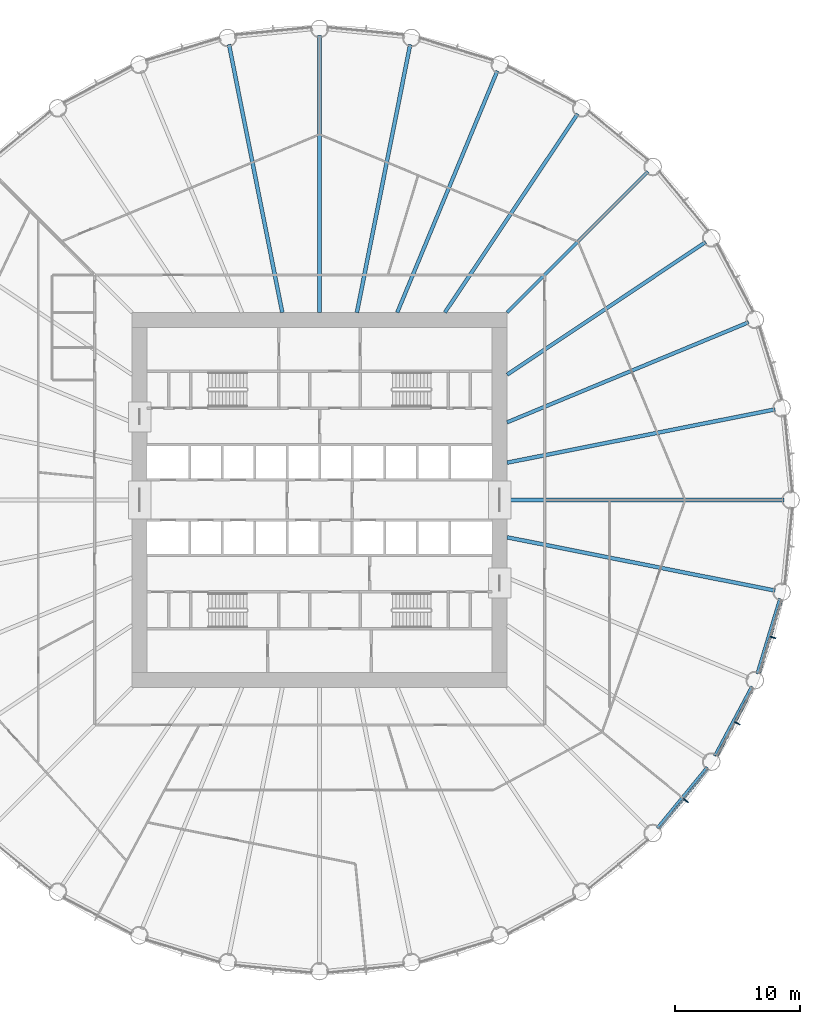
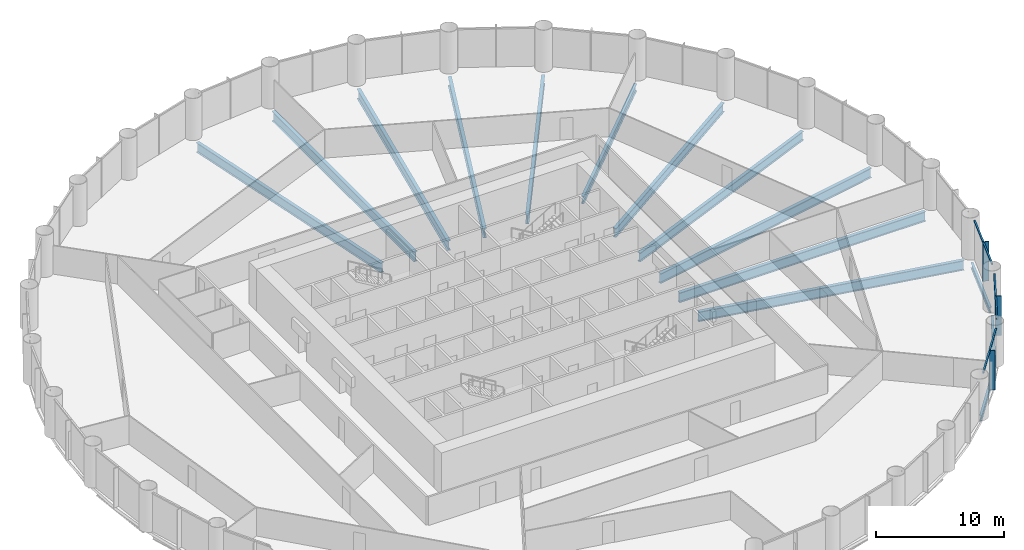
# One storey, part 5 of 15: 14 beams, 9 members, 3 elements without a shape of their own.
"""IFC4 building model written with IfcOpenShell, lengths in metres."""

import ifcopenshell
import ifcopenshell.guid

model = None  # the IFC model being written
_history = None  # IfcOwnerHistory: only IFC2X3 demands one
_inside = {}  # id of a spatial element -> (the spatial element, [elements in it])
_under = {}  # id of a project, library or spatial element -> (it, [spatial elements below it])
_declared = {}  # id of a project -> (the project, [libraries it declares])
_typed = {}  # id of a type object -> (the type object, [elements of that type])
_made_of = {}  # id of a material, layer set ... -> (it, [elements and type objects made of it])


def new_model(schema):
    """Start an empty IFC model of exactly this schema.

    Asked for "IFC4X3", IfcOpenShell would pick the latest addendum, in which some entities
    have other attributes; the version numbers below select the first issue.
    IFC2X3 requires an IfcOwnerHistory on every rooted entity: one is made here for all.
    """
    global model, _history
    if schema == "IFC4X3":
        model = ifcopenshell.file(schema_version=(4, 3, 0, 0))
    else:
        model = ifcopenshell.file(schema=schema)
    _inside.clear()
    _under.clear()
    _declared.clear()
    _typed.clear()
    _made_of.clear()
    _history = None
    if model.schema == "IFC2X3":
        org = make("IfcOrganization", Name="unknown")
        user = make(
            "IfcPersonAndOrganization",
            ThePerson=make("IfcPerson", FamilyName="unknown"),
            TheOrganization=org,
        )
        app = make(
            "IfcApplication",
            ApplicationDeveloper=org,
            Version="unknown",
            ApplicationFullName="unknown",
            ApplicationIdentifier="unknown",
        )
        _history = make(
            "IfcOwnerHistory",
            OwningUser=user,
            OwningApplication=app,
            ChangeAction="ADDED",
            CreationDate=0,
        )
    return model


def make(cls, **values):
    """One entity of the class cls with the attributes given. An attribute that is None is left unset."""
    return model.create_entity(
        cls, **{name: value for name, value in values.items() if value is not None}
    )


def rooted(cls, **values):
    """An entity with a GlobalId (a new one), such as an element, a storey or a relation."""
    return make(cls, GlobalId=ifcopenshell.guid.new(), OwnerHistory=_history, **values)


def si_unit(unit_type, name, prefix=None):
    """IfcSIUnit, for example si_unit("LENGTHUNIT", "METRE", prefix="MILLI")."""
    return make("IfcSIUnit", UnitType=unit_type, Prefix=prefix, Name=name)


def assignment(units):
    """IfcUnitAssignment: the units of a project."""
    return None if units is None else make("IfcUnitAssignment", Units=units)


def point(xyz):
    """IfcCartesianPoint."""
    return None if xyz is None else make("IfcCartesianPoint", Coordinates=xyz)


def direction(xyz):
    """IfcDirection."""
    return None if xyz is None else make("IfcDirection", DirectionRatios=xyz)


def frame(location, z_axis=None, x_axis=None):
    """IfcAxis2Placement3D, a coordinate frame: its origin and axes. An axis left out is left unset."""
    return make(
        "IfcAxis2Placement3D",
        Location=point(location),
        Axis=direction(z_axis),
        RefDirection=direction(x_axis),
    )


def frame_2d(location, x_axis=None):
    """IfcAxis2Placement2D, a coordinate frame in the plane: its origin and x axis."""
    return make(
        "IfcAxis2Placement2D", Location=point(location), RefDirection=direction(x_axis)
    )


def origin():
    """The frame at (0, 0, 0) with its axes left unset."""
    return frame((0.0, 0.0, 0.0))


def origin_2d():
    """The frame at (0, 0) in the plane with its x axis left unset."""
    return frame_2d((0.0, 0.0))


def place(relative_to, where):
    """IfcLocalPlacement: puts the frame where relative to a parent placement (None: the world)."""
    return make(
        "IfcLocalPlacement", PlacementRelTo=relative_to, RelativePlacement=where
    )


def context(
    kind, dimensions, precision=None, world=None, true_north=None, identifier=None
):
    """IfcGeometricRepresentationContext, for example the 3D "Model" context."""
    return make(
        "IfcGeometricRepresentationContext",
        ContextIdentifier=identifier,
        ContextType=kind,
        CoordinateSpaceDimension=dimensions,
        Precision=precision,
        WorldCoordinateSystem=world,
        TrueNorth=true_north,
    )


def subcontext(parent, identifier, kind, view, scale=None):
    """IfcGeometricRepresentationSubContext, for example "Body" below "Model"."""
    return make(
        "IfcGeometricRepresentationSubContext",
        ContextIdentifier=identifier,
        ContextType=kind,
        ParentContext=parent,
        TargetScale=scale,
        TargetView=view,
    )


def project(units=None, contexts=None):
    """IfcProject with its units and contexts."""
    return rooted(
        "IfcProject",
        Name="project",
        RepresentationContexts=contexts,
        UnitsInContext=assignment(units),
    )


def spatial(cls, under=None, at=None, **own):
    """A site, building, storey or space (cls), placed at a placement, below another one or the project."""
    s = rooted(cls, ObjectPlacement=at, **own)
    if under is not None:
        _under.setdefault(under.id(), (under, []))[1].append(s)
    return s


def profile(cls, at=None, kind="AREA", **sizes):
    """A parametric profile (cls). Its sizes go by their IFC names, for example OverallWidth=200.0."""
    return make(cls, ProfileType=kind, Position=at, **sizes)


def rectangle(**sizes):
    """IfcRectangleProfileDef."""
    return profile("IfcRectangleProfileDef", **sizes)


def i_section(**sizes):
    """IfcIShapeProfileDef."""
    return profile("IfcIShapeProfileDef", **sizes)


def extrude(swept, where, along, depth):
    """IfcExtrudedAreaSolid: the profile swept, set in the frame where, extruded along a direction by depth."""
    return make(
        "IfcExtrudedAreaSolid",
        SweptArea=swept,
        Position=where,
        ExtrudedDirection=direction(along),
        Depth=depth,
    )


def shape(context_of_items, identifier, shape_type, items):
    """IfcShapeRepresentation: the items that make up one representation, for example the "Body"."""
    return make(
        "IfcShapeRepresentation",
        ContextOfItems=context_of_items,
        RepresentationIdentifier=identifier,
        RepresentationType=shape_type,
        Items=items,
    )


def material(Name=None, Category=None):
    """IfcMaterial."""
    return make("IfcMaterial", Name=Name, Category=Category)


def material_profile(
    of_material, cross_section, Name=None, Category=None, Priority=None
):
    """IfcMaterialProfile: a cross section and its material."""
    return make(
        "IfcMaterialProfile",
        Name=Name,
        Material=of_material,
        Profile=cross_section,
        Priority=Priority,
        Category=Category,
    )


def profile_set(profiles, Name=None, composite=None):
    """IfcMaterialProfileSet."""
    return make(
        "IfcMaterialProfileSet",
        Name=Name,
        MaterialProfiles=profiles,
        CompositeProfile=composite,
    )


def made_of(thing, what):
    """Note that an element or type object is made of a material, layer set ...; save() writes the relation."""
    if what is not None:
        _made_of.setdefault(what.id(), (what, []))[1].append(thing)
    return thing


def type_object(cls, material=None, **own):
    """A type object (cls), such as IfcWallType, which elements share."""
    return made_of(rooted(cls, **own), material)


def element(
    cls,
    number,
    at=None,
    inside=None,
    cuts=None,
    type_object=None,
    material=None,
    context=None,
    identifier="Body",
    shape_type=None,
    held_by="IfcProductDefinitionShape",
    body=None,
    shapes=None,
    **own,
):
    """One element of the class cls, such as IfcWall. Its Tag is "e" and its number.

    at: its placement. inside: the storey or other place that contains it. cuts: it is an
    opening in that element (IfcRelVoidsElement). A single representation is given by context,
    identifier, shape_type and body (its items); several are given by shapes. held_by: the class
    of the entity that holds the representations. save() writes the other relations.
    """
    e = rooted(cls, Tag="e%d" % number, ObjectPlacement=at, **own)
    if body is not None:
        shapes = [shape(context, identifier, shape_type, body)]
    if shapes is not None:
        e.Representation = make(held_by, Representations=shapes)
    if inside is not None:
        _inside.setdefault(inside.id(), (inside, []))[1].append(e)
    if cuts is not None:
        rooted(
            "IfcRelVoidsElement", RelatingBuildingElement=cuts, RelatedOpeningElement=e
        )
    if type_object is not None:
        _typed.setdefault(type_object.id(), (type_object, []))[1].append(e)
    return made_of(e, material)


def aggregate(whole, parts):
    """IfcRelAggregates: a whole, such as a stair, and the parts it consists of."""
    return rooted("IfcRelAggregates", RelatingObject=whole, RelatedObjects=parts)


def save(model, path):
    """Write the relations noted so far, then the file.

    IfcRelAggregates (storeys below a building ...), IfcRelContainedInSpatialStructure (elements
    in a storey), IfcRelDefinesByType, IfcRelAssociatesMaterial and IfcRelDeclares: one each for
    every whole, place, type object, material and project.
    """
    for whole, parts in _under.values():
        aggregate(whole, parts)
    for where, things in _inside.values():
        rooted(
            "IfcRelContainedInSpatialStructure",
            RelatedElements=things,
            RelatingStructure=where,
        )
    for kind, things in _typed.values():
        rooted("IfcRelDefinesByType", RelatedObjects=things, RelatingType=kind)
    for what, things in _made_of.values():
        rooted("IfcRelAssociatesMaterial", RelatedObjects=things, RelatingMaterial=what)
    for by, libraries in _declared.values():
        rooted("IfcRelDeclares", RelatingContext=by, RelatedDefinitions=libraries)
    model.write(path)


model = new_model("IFC4")

# Units and contexts
model_context = context("Model", 3, precision=1e-05, world=origin(), true_north=direction((0.0, 1.0)))
body_context = subcontext(model_context, "Body", "Model", "MODEL_VIEW")
ifc_project = project(units=[si_unit("LENGTHUNIT", "METRE"), si_unit("AREAUNIT", "SQUARE_METRE"), si_unit("VOLUMEUNIT", "CUBIC_METRE"), si_unit("PLANEANGLEUNIT", "RADIAN"), si_unit("MASSUNIT", "GRAM", prefix="KILO")], contexts=[model_context])

# Site, building, storey
site_placement = place(None, origin())
site = spatial("IfcSite", under=ifc_project, at=site_placement, CompositionType="ELEMENT")
building_placement = place(site_placement, origin())
building = spatial("IfcBuilding", under=site, at=building_placement, Name="Corvane Civic Tower", CompositionType="ELEMENT")
storey_placement = place(building_placement, frame((0.0, 0.0, 61.0)))
storey = spatial("IfcBuildingStorey", under=building, at=storey_placement, Name="L13", CompositionType="ELEMENT", Elevation=61.0)

# Beams
ifc_material_1 = material(Name="Steel ASTM A992 Gr 50", Category="steel")
ifc_material_profile_1 = material_profile(ifc_material_1, i_section(OverallWidth=0.209228515625, OverallDepth=0.533447265625, WebThickness=0.01025390625, FlangeThickness=0.015625, at=origin_2d()), Name="W21X62")
ifc_profile_set_1 = profile_set([ifc_material_profile_1], Name="Steel ASTM A992 Gr 50")
beam_type_1 = type_object("IfcBeamType", Name="EDGE BEAM W21X62", PredefinedType="BEAM", material=ifc_profile_set_1)
for number, where, z_axis, x_axis, name in (
    (1, (36.81591796875, -7.88134765625, -0.566650390625), (-0.290273452184, -0.956943740748, 0.0), (0.956943740748, -0.290273452184, 0.0), "BM-L13-E10"),
    (2, (34.571044921875, -14.912353515625, -0.566650390625), (-0.471405897311, -0.881916367906, 0.0), (0.881916367906, -0.471405897311, 0.0), "BM-L13-E11"),
):
    element("IfcBeam", number, at=place(storey_placement, frame(where, z_axis=z_axis, x_axis=x_axis)), inside=storey, type_object=beam_type_1, Name=name, PredefinedType="BEAM", context=body_context, shape_type="SweptSolid", body=[
        extrude(i_section(OverallWidth=0.209228515625, OverallDepth=0.533447265625, WebThickness=0.01025390625, FlangeThickness=0.015625, at=origin_2d()), origin(), (0.0, 0.0, 1.0), 6.290283203125),
    ])
beam_1_placement = place(storey_placement, frame((30.99755859375, -21.3701171875, -0.566650390625), z_axis=(-0.634386787141, -0.773015785286, 0.0), x_axis=(0.773015785286, -0.634386787141, 0.0)))
element("IfcBeam", 3, at=beam_1_placement, inside=storey, type_object=beam_type_1, Name="BM-L13-E12", PredefinedType="BEAM", context=body_context, shape_type="SweptSolid", body=[
    extrude(i_section(OverallWidth=0.209228515625, OverallDepth=0.533447265625, WebThickness=0.01025390625, FlangeThickness=0.015625, at=origin_2d()), origin(), (0.0, 0.0, 1.0), 6.290771484375),
])
ifc_material_2 = material(Name="Steel ASTM A992 Gr 50", Category="steel")
ifc_material_profile_2 = material_profile(ifc_material_2, i_section(OverallWidth=0.256591796875, OverallDepth=0.693359375, WebThickness=0.014404296875, FlangeThickness=0.023681640625, at=origin_2d()), Name="W27X114")
ifc_profile_set_2 = profile_set([ifc_material_profile_2], Name="Steel ASTM A992 Gr 50")
beam_type_2 = type_object("IfcBeamType", Name="FLOOR GIRDER W27X114", PredefinedType="BEAM", material=ifc_profile_set_2)
beam_2_placement = place(storey_placement, frame((15.0, 15.0, -0.646728515625), z_axis=(0.707106781187, 0.707106781187, 0.0), x_axis=(-0.707106781187, 0.707106781187, 0.0)))
element("IfcBeam", 4, at=beam_2_placement, inside=storey, type_object=beam_type_2, Name="BM-L13-G05", PredefinedType="BEAM", context=body_context, shape_type="SweptSolid", body=[
    extrude(i_section(OverallWidth=0.256591796875, OverallDepth=0.693359375, WebThickness=0.014404296875, FlangeThickness=0.023681640625, at=origin_2d()), origin(), (0.0, 0.0, 1.0), 15.936767578125),
])
ifc_material_3 = material(Name="Steel ASTM A992 Gr 50", Category="steel")
ifc_material_profile_3 = material_profile(ifc_material_3, i_section(OverallWidth=0.2919921875, OverallDepth=0.8583984375, WebThickness=0.01708984375, FlangeThickness=0.031005859375, at=origin_2d()), Name="W33X169")
ifc_profile_set_3 = profile_set([ifc_material_profile_3], Name="Steel ASTM A992 Gr 50")
beam_type_3 = type_object("IfcBeamType", Name="FLOOR GIRDER W33X169", PredefinedType="BEAM", material=ifc_profile_set_3)
beam_3_placement = place(storey_placement, frame((6.213134765625, 15.0, -0.729248046875), z_axis=(0.382692360381, 0.923875834355, 0.0), x_axis=(-0.923875834355, 0.382692360381, 0.0)))
element("IfcBeam", 5, at=beam_3_placement, inside=storey, type_object=beam_type_3, Name="BM-L13-G03", PredefinedType="BEAM", context=body_context, shape_type="SweptSolid", body=[
    extrude(i_section(OverallWidth=0.2919921875, OverallDepth=0.8583984375, WebThickness=0.01708984375, FlangeThickness=0.031005859375, at=origin_2d()), origin(), (0.0, 0.0, 1.0), 20.9140625),
])
for number, where, z_axis, x_axis, name in (
    (6, (10.022705078125, 15.0, -0.729248046875), (0.555566681385, 0.831471985418, 0.0), (-0.831471985418, 0.555566681385, 0.0), "BM-L13-G04"),
    (7, (15.0, 10.022705078125, -0.729248046875), (0.831471985418, 0.555566681385, 0.0), (-0.555566681385, 0.831471985418, 0.0), "BM-L13-G06"),
):
    element("IfcBeam", number, at=place(storey_placement, frame(where, z_axis=z_axis, x_axis=x_axis)), inside=storey, type_object=beam_type_3, Name=name, PredefinedType="BEAM", context=body_context, shape_type="SweptSolid", body=[
        extrude(i_section(OverallWidth=0.2919921875, OverallDepth=0.8583984375, WebThickness=0.01708984375, FlangeThickness=0.031005859375, at=origin_2d()), origin(), (0.0, 0.0, 1.0), 19.109619140625),
    ])
beam_4_placement = place(storey_placement, frame((15.0, 6.213134765625, -0.729248046875), z_axis=(0.923875834355, 0.382692360381, 0.0), x_axis=(-0.382692360381, 0.923875834355, 0.0)))
element("IfcBeam", 8, at=beam_4_placement, inside=storey, type_object=beam_type_3, Name="BM-L13-G07", PredefinedType="BEAM", context=body_context, shape_type="SweptSolid", body=[
    extrude(i_section(OverallWidth=0.2919921875, OverallDepth=0.8583984375, WebThickness=0.01708984375, FlangeThickness=0.031005859375, at=origin_2d()), origin(), (0.0, 0.0, 1.0), 20.9140625),
])
ifc_material_4 = material(Name="Steel ASTM A992 Gr 50", Category="steel")
ifc_material_profile_4 = material_profile(ifc_material_4, i_section(OverallWidth=0.307373046875, OverallDepth=0.927001953125, WebThickness=0.01953125, FlangeThickness=0.031982421875, at=origin_2d()), Name="W36X194")
ifc_profile_set_4 = profile_set([ifc_material_profile_4], Name="Steel ASTM A992 Gr 50")
beam_type_4 = type_object("IfcBeamType", Name="FLOOR GIRDER W36X194", PredefinedType="BEAM", material=ifc_profile_set_4)
beam_5_placement = place(storey_placement, frame((0.0, 15.0, -0.763671875), z_axis=(0.0, 1.0, 0.0), x_axis=(-1.0, 0.0, 0.0)))
element("IfcBeam", 9, at=beam_5_placement, inside=storey, type_object=beam_type_4, Name="BM-L13-G01", PredefinedType="BEAM", context=body_context, shape_type="SweptSolid", body=[
    extrude(i_section(OverallWidth=0.307373046875, OverallDepth=0.927001953125, WebThickness=0.01953125, FlangeThickness=0.031982421875, at=origin_2d()), origin(), (0.0, 0.0, 1.0), 22.14990234375),
])
for number, where, z_axis, x_axis, name in (
    (10, (2.983642578125, 15.0, -0.763671875), (0.195089219638, 0.980785499679, 0.0), (-0.980785499679, 0.195089219638, 0.0), "BM-L13-G02"),
    (11, (15.0, 2.983642578125, -0.763671875), (0.980785499679, 0.195089219638, 0.0), (-0.195089219638, 0.980785499679, 0.0), "BM-L13-G08"),
):
    element("IfcBeam", number, at=place(storey_placement, frame(where, z_axis=z_axis, x_axis=x_axis)), inside=storey, type_object=beam_type_4, Name=name, PredefinedType="BEAM", context=body_context, shape_type="SweptSolid", body=[
        extrude(i_section(OverallWidth=0.307373046875, OverallDepth=0.927001953125, WebThickness=0.01953125, FlangeThickness=0.031982421875, at=origin_2d()), origin(), (0.0, 0.0, 1.0), 21.856201171875),
    ])
beam_6_placement = place(storey_placement, frame((15.0, 0.0, -0.763671875), z_axis=(1.0, 0.0, 0.0), x_axis=(0.0, 1.0, 0.0)))
element("IfcBeam", 12, at=beam_6_placement, inside=storey, type_object=beam_type_4, Name="BM-L13-G09", PredefinedType="BEAM", context=body_context, shape_type="SweptSolid", body=[
    extrude(i_section(OverallWidth=0.307373046875, OverallDepth=0.927001953125, WebThickness=0.01953125, FlangeThickness=0.031982421875, at=origin_2d()), origin(), (0.0, 0.0, 1.0), 22.14990234375),
])
for number, where, z_axis, x_axis, name in (
    (13, (15.0, -2.983642578125, -0.763671875), (0.980785499679, -0.195089219638, 0.0), (0.195089219638, 0.980785499679, 0.0), "BM-L13-G10"),
    (14, (-2.983642578125, 15.0, -0.763671875), (-0.195089219638, 0.980785499679, 0.0), (-0.980785499679, -0.195089219638, 0.0), "BM-L13-G32"),
):
    element("IfcBeam", number, at=place(storey_placement, frame(where, z_axis=z_axis, x_axis=x_axis)), inside=storey, type_object=beam_type_4, Name=name, PredefinedType="BEAM", context=body_context, shape_type="SweptSolid", body=[
        extrude(i_section(OverallWidth=0.307373046875, OverallDepth=0.927001953125, WebThickness=0.01953125, FlangeThickness=0.031982421875, at=origin_2d()), origin(), (0.0, 0.0, 1.0), 21.856201171875),
    ])

# Curtain wall, members
ifc_material_5 = material(Name="Anodised aluminium bronze", Category="aluminium")
curtain_wall_type = type_object("IfcCurtainWallType", Name="TOWER CW-T1 STICK CURTAIN WALL", PredefinedType="NOTDEFINED", material=ifc_material_5)
curtain_wall_1_placement = place(storey_placement, origin())
curtain_wall_1 = element("IfcCurtainWall", 15, at=curtain_wall_1_placement, inside=storey, type_object=curtain_wall_type, Name="Curtain wall CW-T1 L13 bay 10", PredefinedType="NOTDEFINED")
ifc_material_6 = material(Name="Anodised aluminium bronze", Category="aluminium")
ifc_material_profile_5 = material_profile(ifc_material_6, rectangle(XDim=0.139892578125, YDim=0.1201171875, at=origin_2d()), Name="TOWER CW-T1 TRANSOM 140x120")
ifc_profile_set_5 = profile_set([ifc_material_profile_5], Name="Anodised aluminium bronze")
member_type_1 = type_object("IfcMemberType", Name="TOWER CW-T1 TRANSOM 140x120", PredefinedType="USERDEFINED", material=ifc_profile_set_5)
member_1_placement = place(storey_placement, frame((36.959228515625, -8.02587890625, 3.68994140625), z_axis=(-0.290279914268, -0.956941780555, 0.0), x_axis=(0.956941780555, -0.290279914268, 0.0)))
member_1 = element("IfcMember", 16, at=member_1_placement, type_object=member_type_1, Name="Transom CW-T1 L13 10.1", ObjectType="TRANSOM", PredefinedType="USERDEFINED", context=body_context, shape_type="SweptSolid", body=[
    extrude(rectangle(XDim=0.139892578125, YDim=0.1201171875, at=origin_2d()), origin(), (0.0, 0.0, 1.0), 3.008544921875),
])
member_2_placement = place(storey_placement, frame((36.062744140625, -10.9814453125, 3.68994140625), z_axis=(-0.290279914268, -0.956941780555, 0.0), x_axis=(0.956941780555, -0.290279914268, 0.0)))
member_2 = element("IfcMember", 17, at=member_2_placement, type_object=member_type_1, Name="Transom CW-T1 L13 10.2", ObjectType="TRANSOM", PredefinedType="USERDEFINED", context=body_context, shape_type="SweptSolid", body=[
    extrude(rectangle(XDim=0.139892578125, YDim=0.1201171875, at=origin_2d()), origin(), (0.0, 0.0, 1.0), 3.008544921875),
])

curtain_wall_2_placement = place(storey_placement, origin())
curtain_wall_2 = element("IfcCurtainWall", 18, at=curtain_wall_2_placement, inside=storey, type_object=curtain_wall_type, Name="Curtain wall CW-T1 L13 bay 11", PredefinedType="NOTDEFINED")
member_3_placement = place(storey_placement, frame((34.683349609375, -15.08203125, 3.68994140625), z_axis=(-0.471392506424, -0.881923525532, 0.0), x_axis=(0.881923525532, -0.471392506424, 0.0)))
member_3 = element("IfcMember", 19, at=member_3_placement, type_object=member_type_1, Name="Transom CW-T1 L13 11.1", ObjectType="TRANSOM", PredefinedType="USERDEFINED", context=body_context, shape_type="SweptSolid", body=[
    extrude(rectangle(XDim=0.139892578125, YDim=0.1201171875, at=origin_2d()), origin(), (0.0, 0.0, 1.0), 3.008544921875),
])
member_4_placement = place(storey_placement, frame((33.2275390625, -17.805908203125, 3.68994140625), z_axis=(-0.471392506424, -0.881923525532, 0.0), x_axis=(0.881923525532, -0.471392506424, 0.0)))
member_4 = element("IfcMember", 20, at=member_4_placement, type_object=member_type_1, Name="Transom CW-T1 L13 11.2", ObjectType="TRANSOM", PredefinedType="USERDEFINED", context=body_context, shape_type="SweptSolid", body=[
    extrude(rectangle(XDim=0.139892578125, YDim=0.1201171875, at=origin_2d()), origin(), (0.0, 0.0, 1.0), 3.008544921875),
])

curtain_wall_3_placement = place(storey_placement, origin())
curtain_wall_3 = element("IfcCurtainWall", 21, at=curtain_wall_3_placement, inside=storey, type_object=curtain_wall_type, Name="Curtain wall CW-T1 L13 bay 12", PredefinedType="NOTDEFINED")
member_5_placement = place(storey_placement, frame((31.074462890625, -21.55859375, 3.68994140625), z_axis=(-0.634355161466, -0.773041738279, 0.0), x_axis=(0.773041738279, -0.634355161466, 0.0)))
member_5 = element("IfcMember", 22, at=member_5_placement, type_object=member_type_1, Name="Transom CW-T1 L13 12.1", ObjectType="TRANSOM", PredefinedType="USERDEFINED", context=body_context, shape_type="SweptSolid", body=[
    extrude(rectangle(XDim=0.139892578125, YDim=0.1201171875, at=origin_2d()), origin(), (0.0, 0.0, 1.0), 3.008544921875),
])
member_6_placement = place(storey_placement, frame((29.115234375, -23.946044921875, 3.68994140625), z_axis=(-0.634403652865, -0.773001943873, 0.0), x_axis=(0.773001943873, -0.634403652865, 0.0)))
member_6 = element("IfcMember", 23, at=member_6_placement, type_object=member_type_1, Name="Transom CW-T1 L13 12.2", ObjectType="TRANSOM", PredefinedType="USERDEFINED", context=body_context, shape_type="SweptSolid", body=[
    extrude(rectangle(XDim=0.139892578125, YDim=0.1201171875, at=origin_2d()), origin(), (0.0, 0.0, 1.0), 3.008544921875),
])

# Member
ifc_material_7 = material(Name="Anodised aluminium bronze", Category="aluminium")
ifc_material_profile_6 = material_profile(ifc_material_7, rectangle(XDim=0.080078125, YDim=0.5, at=origin_2d()), Name="TOWER FIN MULLION 80x500 BRONZE")
ifc_profile_set_6 = profile_set([ifc_material_profile_6], Name="Anodised aluminium bronze")
member_type_2 = type_object("IfcMemberType", Name="TOWER FIN MULLION 80x500 BRONZE", PredefinedType="MULLION", material=ifc_profile_set_6)
member_7_placement = place(storey_placement, frame((36.265625, -11.001220703125, 0.0), z_axis=(0.0, 0.0, 1.0), x_axis=(-0.290278397654, -0.956942240606, 0.0)))
member_7 = element("IfcMember", 24, at=member_7_placement, type_object=member_type_2, Name="Fin mullion 10 L13", PredefinedType="MULLION", context=body_context, shape_type="SweptSolid", body=[
    extrude(rectangle(XDim=0.080078125, YDim=0.5, at=origin_2d()), origin(), (0.0, 0.0, 1.0), 3.75),
])

aggregate(curtain_wall_1, [member_7, member_1, member_2])

member_8_placement = place(storey_placement, frame((33.422607421875, -17.86474609375, 0.0), z_axis=(0.0, 0.0, 1.0), x_axis=(-0.471403725359, -0.881917528864, 0.0)))
member_8 = element("IfcMember", 25, at=member_8_placement, type_object=member_type_2, Name="Fin mullion 11 L13", PredefinedType="MULLION", context=body_context, shape_type="SweptSolid", body=[
    extrude(rectangle(XDim=0.080078125, YDim=0.5, at=origin_2d()), origin(), (0.0, 0.0, 1.0), 3.75),
])

aggregate(curtain_wall_2, [member_8, member_3, member_4])

member_9_placement = place(storey_placement, frame((29.295166015625, -24.0419921875, 0.0), z_axis=(0.0, 0.0, 1.0), x_axis=(-0.634397218569, -0.773007224463, 0.0)))
member_9 = element("IfcMember", 26, at=member_9_placement, type_object=member_type_2, Name="Fin mullion 12 L13", PredefinedType="MULLION", context=body_context, shape_type="SweptSolid", body=[
    extrude(rectangle(XDim=0.080078125, YDim=0.5, at=origin_2d()), origin(), (0.0, 0.0, 1.0), 3.75),
])

aggregate(curtain_wall_3, [member_9, member_5, member_6])

save(model, "model.ifc")
